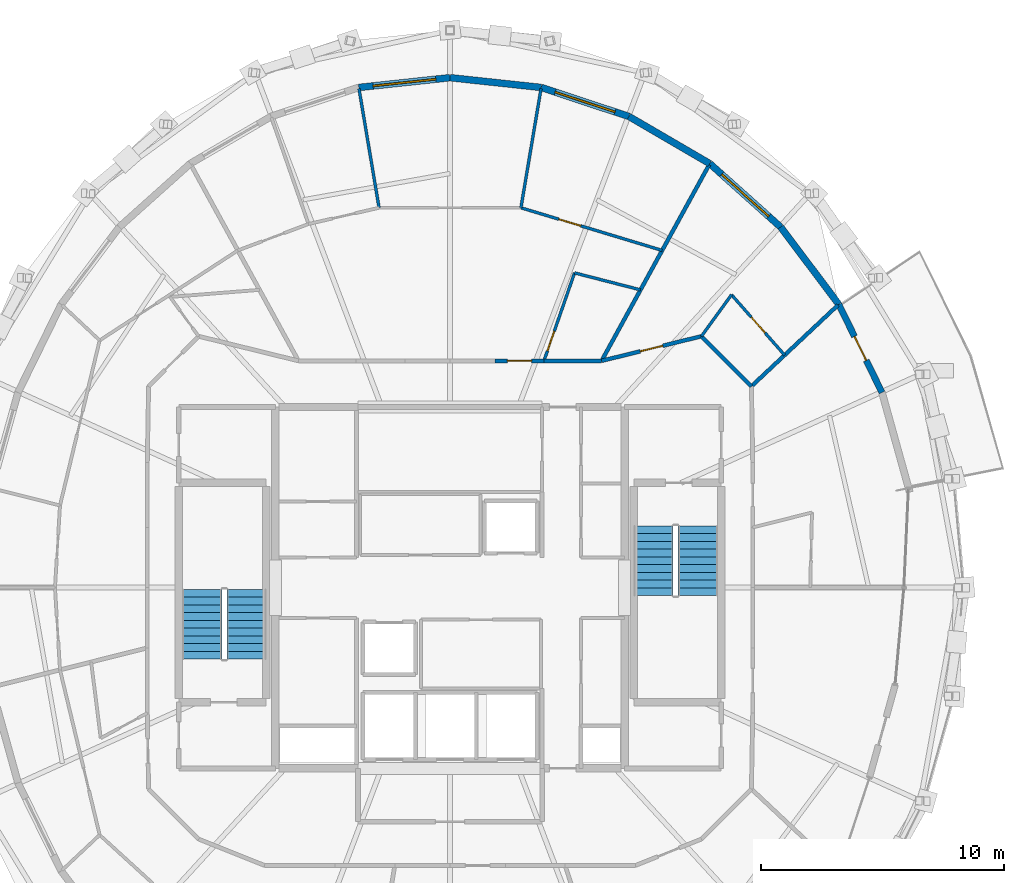
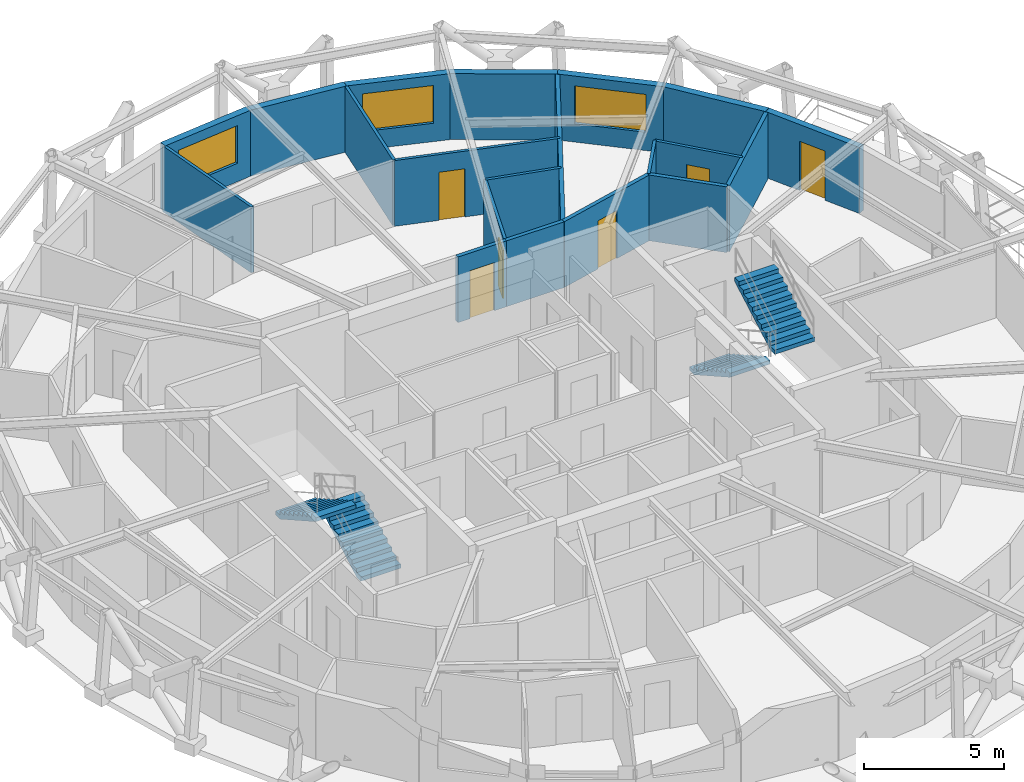
# One storey, part 11 of 12: 20 walls, 6 doors, 4 stair flights, 3 windows, 9 openings, 2 elements without a shape of their own.
"""IFC4 building model written with IfcOpenShell, lengths in metres."""

from ifc_helpers import new_model, si_unit, direction, frame, frame_2d, origin, place, context, subcontext, project, spatial, polyline, rectangle, outline, extrude, material, layer, layer_set, type_object, element, fill, aggregate, save


model = new_model("IFC4")

# Units and contexts
model_context = context("Model", 3, precision=1e-05, world=origin(), true_north=direction((0.0, 1.0)))
body_context = subcontext(model_context, "Body", "Model", "MODEL_VIEW")
ifc_project = project(units=[si_unit("LENGTHUNIT", "METRE"), si_unit("AREAUNIT", "SQUARE_METRE"), si_unit("VOLUMEUNIT", "CUBIC_METRE"), si_unit("PLANEANGLEUNIT", "RADIAN"), si_unit("MASSUNIT", "GRAM", prefix="KILO")], contexts=[model_context])

# Site, building, storey
site_placement = place(None, origin())
site = spatial("IfcSite", under=ifc_project, at=site_placement, CompositionType="ELEMENT")
building_placement = place(site_placement, origin())
building = spatial("IfcBuilding", under=site, at=building_placement, Name="Veldorina Hangang Commons", CompositionType="ELEMENT")
storey_placement = place(building_placement, frame((0.0, 0.0, 272.39990234375)))
storey = spatial("IfcBuildingStorey", under=building, at=storey_placement, Name="L71", CompositionType="ELEMENT", Elevation=272.39990234375)

# Wall, opening, door
ifc_material_1 = material(Name="Stone Roman Travertine", Category="masonry")
ifc_layer_1 = layer(ifc_material_1, 0.260009765625)
ifc_layer_set_1 = layer_set([ifc_layer_1], Name="Stone Roman Travertine")
wall_type_1 = type_object("IfcWallType", Name="EW-LOGGIA-260", PredefinedType="STANDARD", material=ifc_layer_set_1)
wall_1_placement = place(storey_placement, frame((49.80908203125, 32.0458984375, 0.0), z_axis=(0.0, 0.0, 1.0), x_axis=(-0.440082846758, 0.897957174919, 0.0)))
wall_1 = element("IfcWall", 1, at=wall_1_placement, inside=storey, type_object=wall_type_1, Name="L71 sky-garden loggia portal wall 02", PredefinedType="STANDARD", context=body_context, shape_type="SweptSolid", body=[
    extrude(rectangle(XDim=4.048095703125, YDim=0.260009765625, at=frame_2d((2.02392578125, 0.0))), origin(), (0.0, 0.0, 1.0), 2.880126953125),
])
opening_1_placement = place(wall_1_placement, frame((1.47412109375, 0.0, 0.0)))
opening_1 = element("IfcOpeningElement", 2, at=opening_1_placement, cuts=wall_1, Name="Opening BD-1100", PredefinedType="OPENING", context=body_context, shape_type="SweptSolid", body=[
    extrude(rectangle(XDim=1.10009765625, YDim=2.14990234375, at=frame_2d((0.550048828125, 1.074951171875))), frame((0.0, 0.14013671875, 0.0), z_axis=(0.0, -1.0, 0.0), x_axis=(1.0, 0.0, 0.0)), (0.0, 0.0, 1.0), 0.280029296875),
])
ifc_material_2 = material(Name="Glass Thermal Aluminium Frame", Category="aluminium")
door_type_1 = type_object("IfcDoorType", Name="DR-EXT-BAL1100", OperationType="SINGLE_SWING_RIGHT", PredefinedType="DOOR", material=ifc_material_2)
door_1_placement = place(opening_1_placement, origin())
door_1 = element("IfcDoor", 3, at=door_1_placement, inside=storey, type_object=door_type_1, Name="L71 tree balcony glazed exterior door 02", OperationType="SINGLE_SWING_LEFT", OverallHeight=2.14990234375, OverallWidth=1.10009765625, PredefinedType="DOOR", context=body_context, shape_type="SweptSolid", body=[
    extrude(rectangle(XDim=1.10009765625, YDim=2.14990234375, at=frame_2d((0.550048828125, 1.074951171875))), frame((0.0, 0.02490234375, 0.0), z_axis=(0.0, -1.0, 0.0), x_axis=(1.0, 0.0, 0.0)), (0.0, 0.0, 1.0), 0.050048828125),
])
fill(opening_1, door_1)

# Wall
ifc_layer_2 = layer(ifc_material_1, 0.280029296875)
ifc_layer_set_2 = layer_set([ifc_layer_2], Name="Stone Roman Travertine")
wall_type_2 = type_object("IfcWallType", Name="EW-TRAV-280", PredefinedType="STANDARD", material=ifc_layer_set_2)
wall_2_placement = place(storey_placement, frame((48.027587890625, 35.680908203125, 0.0), z_axis=(0.0, 0.0, 1.0), x_axis=(-0.601263134617, 0.799051089074, 0.0)))
element("IfcWall", 4, at=wall_2_placement, inside=storey, type_object=wall_type_2, Name="L71 travertine facade wall 03", PredefinedType="STANDARD", context=body_context, shape_type="SweptSolid", body=[
    extrude(rectangle(XDim=3.987060546875, YDim=0.280029296875, at=frame_2d((1.99365234375, 0.0))), origin(), (0.0, 0.0, 1.0), 2.880126953125),
])

# Wall, opening, window
wall_3_placement = place(storey_placement, frame((45.63037109375, 38.86669921875, 0.0), z_axis=(0.0, 0.0, 1.0), x_axis=(-0.745102858602, 0.666949570884, 0.0)))
wall_3 = element("IfcWall", 5, at=wall_3_placement, inside=storey, type_object=wall_type_2, Name="L71 travertine facade wall 04", PredefinedType="STANDARD", context=body_context, shape_type="SweptSolid", body=[
    extrude(rectangle(XDim=3.92041015625, YDim=0.280029296875, at=frame_2d((1.960205078125, 0.0))), origin(), (0.0, 0.0, 1.0), 2.880126953125),
])
opening_2_placement = place(wall_3_placement, frame((0.66015625, 0.0, 0.800048828125)))
opening_2 = element("IfcOpeningElement", 6, at=opening_2_placement, cuts=wall_3, Name="Opening W-02", PredefinedType="OPENING", context=body_context, shape_type="SweptSolid", body=[
    extrude(rectangle(XDim=2.60009765625, YDim=1.64990234375, at=frame_2d((1.300048828125, 0.824951171875))), frame((0.0, 0.14990234375, 0.0), z_axis=(0.0, -1.0, 0.0), x_axis=(1.0, 0.0, 0.0)), (0.0, 0.0, 1.0), 0.300048828125),
])
ifc_material_3 = material(Name="Glass Low-E Triple IGU", Category="glass")
window_type = type_object("IfcWindowType", Name="WIN-TWR-2600", PartitioningType="SINGLE_PANEL", PredefinedType="WINDOW", material=ifc_material_3)
window_1_placement = place(opening_2_placement, origin())
window_1 = element("IfcWindow", 7, at=window_1_placement, inside=storey, type_object=window_type, Name="L71 facade window 04", OverallHeight=1.64990234375, OverallWidth=2.60009765625, PartitioningType="SINGLE_PANEL", PredefinedType="WINDOW", context=body_context, shape_type="SweptSolid", body=[
    extrude(rectangle(XDim=2.60009765625, YDim=1.64990234375, at=frame_2d((1.300048828125, 0.824951171875))), frame((0.0, 0.030029296875, 0.0), z_axis=(0.0, -1.0, 0.0), x_axis=(1.0, 0.0, 0.0)), (0.0, 0.0, 1.0), 0.06005859375),
])
fill(opening_2, window_1)

# Wall
wall_4_placement = place(storey_placement, frame((42.709228515625, 41.4814453125, 0.0), z_axis=(0.0, 0.0, 1.0), x_axis=(-0.863902830528, 0.503658514677, 0.0)))
element("IfcWall", 8, at=wall_4_placement, inside=storey, type_object=wall_type_2, Name="L71 travertine facade wall 05", PredefinedType="STANDARD", context=body_context, shape_type="SweptSolid", body=[
    extrude(rectangle(XDim=3.857421875, YDim=0.280029296875, at=frame_2d((1.9287109375, 0.0))), origin(), (0.0, 0.0, 1.0), 2.880126953125),
])

# Wall, opening, window
wall_5_placement = place(storey_placement, frame((39.376708984375, 43.42431640625, 0.0), z_axis=(0.0, 0.0, 1.0), x_axis=(-0.949379621602, 0.314131077874, 0.0)))
wall_5 = element("IfcWall", 9, at=wall_5_placement, inside=storey, type_object=wall_type_2, Name="L71 travertine facade wall 06", PredefinedType="STANDARD", context=body_context, shape_type="SweptSolid", body=[
    extrude(rectangle(XDim=3.80908203125, YDim=0.280029296875, at=frame_2d((1.904541015625, 0.0))), origin(), (0.0, 0.0, 1.0), 2.880126953125),
])
opening_3_placement = place(wall_5_placement, frame((0.6044921875, 0.0, 0.800048828125)))
opening_3 = element("IfcOpeningElement", 10, at=opening_3_placement, cuts=wall_5, Name="Opening W-02", PredefinedType="OPENING", context=body_context, shape_type="SweptSolid", body=[
    extrude(rectangle(XDim=2.60009765625, YDim=1.64990234375, at=frame_2d((1.300048828125, 0.824951171875))), frame((0.0, 0.14990234375, 0.0), z_axis=(0.0, -1.0, 0.0), x_axis=(1.0, 0.0, 0.0)), (0.0, 0.0, 1.0), 0.300048828125),
])
window_2_placement = place(opening_3_placement, origin())
window_2 = element("IfcWindow", 11, at=window_2_placement, inside=storey, type_object=window_type, Name="L71 facade window 06", OverallHeight=1.64990234375, OverallWidth=2.60009765625, PartitioningType="SINGLE_PANEL", PredefinedType="WINDOW", context=body_context, shape_type="SweptSolid", body=[
    extrude(rectangle(XDim=2.60009765625, YDim=1.64990234375, at=frame_2d((1.300048828125, 0.824951171875))), frame((0.0, 0.030029296875, 0.0), z_axis=(0.0, -1.0, 0.0), x_axis=(1.0, 0.0, 0.0)), (0.0, 0.0, 1.0), 0.06005859375),
])
fill(opening_3, window_2)

# Wall
wall_6_placement = place(storey_placement, frame((35.760498046875, 44.620849609375, 0.0), z_axis=(0.0, 0.0, 1.0), x_axis=(-0.994277118556, 0.106831697151, 0.0)))
element("IfcWall", 12, at=wall_6_placement, inside=storey, type_object=wall_type_2, Name="L71 travertine facade wall 07", PredefinedType="STANDARD", context=body_context, shape_type="SweptSolid", body=[
    extrude(rectangle(XDim=3.7822265625, YDim=0.280029296875, at=frame_2d((1.89111328125, 0.0))), origin(), (0.0, 0.0, 1.0), 2.880126953125),
])

# Wall, opening, window
wall_7_placement = place(storey_placement, frame((32.0, 45.02490234375, 0.0), z_axis=(0.0, 0.0, 1.0), x_axis=(-0.994277118556, -0.106831697151, 0.0)))
wall_7 = element("IfcWall", 13, at=wall_7_placement, inside=storey, type_object=wall_type_2, Name="L71 travertine facade wall 08", PredefinedType="STANDARD", context=body_context, shape_type="SweptSolid", body=[
    extrude(rectangle(XDim=3.7822265625, YDim=0.280029296875, at=frame_2d((1.89111328125, 0.0))), origin(), (0.0, 0.0, 1.0), 2.880126953125),
])
opening_4_placement = place(wall_7_placement, frame((0.591064453125, 0.0, 0.800048828125)))
opening_4 = element("IfcOpeningElement", 14, at=opening_4_placement, cuts=wall_7, Name="Opening W-02", PredefinedType="OPENING", context=body_context, shape_type="SweptSolid", body=[
    extrude(rectangle(XDim=2.60009765625, YDim=1.64990234375, at=frame_2d((1.300048828125, 0.824951171875))), frame((0.0, 0.14990234375, 0.0), z_axis=(0.0, -1.0, 0.0), x_axis=(1.0, 0.0, 0.0)), (0.0, 0.0, 1.0), 0.300048828125),
])
window_3_placement = place(opening_4_placement, origin())
window_3 = element("IfcWindow", 15, at=window_3_placement, inside=storey, type_object=window_type, Name="L71 facade window 08", OverallHeight=1.64990234375, OverallWidth=2.60009765625, PartitioningType="SINGLE_PANEL", PredefinedType="WINDOW", context=body_context, shape_type="SweptSolid", body=[
    extrude(rectangle(XDim=2.60009765625, YDim=1.64990234375, at=frame_2d((1.300048828125, 0.824951171875))), frame((0.0, 0.030029296875, 0.0), z_axis=(0.0, -1.0, 0.0), x_axis=(1.0, 0.0, 0.0)), (0.0, 0.0, 1.0), 0.06005859375),
])
fill(opening_4, window_3)

# Wall
ifc_material_4 = material(Name="Gypsum Fire-Rated Twin Stud Wall", Category="gypsum")
ifc_layer_3 = layer(ifc_material_4, 0.159912109375)
ifc_layer_set_3 = layer_set([ifc_layer_3], Name="Gypsum Fire-Rated Twin Stud Wall")
wall_type_3 = type_object("IfcWallType", Name="WL-FIRE-160", PredefinedType="SOLIDWALL", material=ifc_layer_set_3)
wall_8_placement = place(storey_placement, frame((44.4267578125, 32.30322265625, 0.0), z_axis=(0.0, 0.0, 1.0), x_axis=(-0.707106781187, 0.707106781187, 0.0)))
element("IfcWall", 16, at=wall_8_placement, inside=storey, type_object=wall_type_3, Name="L71 Compact collar outer wall 03 055", PredefinedType="SOLIDWALL", context=body_context, shape_type="SweptSolid", body=[
    extrude(rectangle(XDim=2.915771484375, YDim=0.159912109375, at=frame_2d((1.4580078125, 0.0))), origin(), (0.0, 0.0, 1.0), 2.8701171875),
])

# Wall, opening, door
wall_9_placement = place(storey_placement, frame((42.364990234375, 34.364990234375, 0.0), z_axis=(0.0, 0.0, 1.0), x_axis=(-0.970939799552, -0.239323850978, 0.0)))
wall_9 = element("IfcWall", 17, at=wall_9_placement, inside=storey, type_object=wall_type_3, Name="L71 Compact collar outer wall 04 056", PredefinedType="SOLIDWALL", context=body_context, shape_type="SweptSolid", body=[
    extrude(rectangle(XDim=4.24072265625, YDim=0.159912109375, at=frame_2d((2.120361328125, 0.0))), origin(), (0.0, 0.0, 1.0), 2.8701171875),
])
opening_5_placement = place(wall_9_placement, frame((1.6455078125, 0.0, 0.0)))
opening_5 = element("IfcOpeningElement", 18, at=opening_5_placement, cuts=wall_9, Name="Opening D-03", PredefinedType="OPENING", context=body_context, shape_type="SweptSolid", body=[
    extrude(rectangle(XDim=0.949951171875, YDim=2.10009765625, at=frame_2d((0.47509765625, 1.050048828125))), frame((0.0, 0.08984375, 0.0), z_axis=(0.0, -1.0, 0.0), x_axis=(1.0, 0.0, 0.0)), (0.0, 0.0, 1.0), 0.179931640625),
])
ifc_material_5 = material(Name="Timber Fire-Rated Entrance Core", Category="wood")
door_type_2 = type_object("IfcDoorType", Name="DR-UNIT-950", OperationType="SINGLE_SWING_RIGHT", PredefinedType="DOOR", material=ifc_material_5)
door_2_placement = place(opening_5_placement, origin())
door_2 = element("IfcDoor", 19, at=door_2_placement, inside=storey, type_object=door_type_2, Name="L71 Studio 3 entrance door 024", OperationType="SINGLE_SWING_RIGHT", OverallHeight=2.10009765625, OverallWidth=0.949951171875, PredefinedType="DOOR", context=body_context, shape_type="SweptSolid", body=[
    extrude(rectangle(XDim=0.949951171875, YDim=2.10009765625, at=frame_2d((0.47509765625, 1.050048828125))), frame((0.0, 0.02490234375, 0.0), z_axis=(0.0, -1.0, 0.0), x_axis=(1.0, 0.0, 0.0)), (0.0, 0.0, 1.0), 0.050048828125),
])
fill(opening_5, door_2)

# Wall
wall_10_placement = place(storey_placement, frame((38.24755859375, 33.35009765625, 0.0), z_axis=(0.0, 0.0, 1.0), x_axis=(-1.0, 0.0, 0.0)))
element("IfcWall", 20, at=wall_10_placement, inside=storey, type_object=wall_type_3, Name="L71 Compact collar outer wall 05 057", PredefinedType="SOLIDWALL", context=body_context, shape_type="SweptSolid", body=[
    extrude(rectangle(XDim=2.374755859375, YDim=0.159912109375, at=frame_2d((1.1875, 0.0))), origin(), (0.0, 0.0, 1.0), 2.8701171875),
])

# Wall, opening, door
wall_11_placement = place(storey_placement, frame((35.872802734375, 33.35009765625, 0.0), z_axis=(0.0, 0.0, 1.0), x_axis=(-1.0, 0.0, 0.0)))
wall_11 = element("IfcWall", 21, at=wall_11_placement, inside=storey, type_object=wall_type_3, Name="L71 Compact collar outer wall 06 058", PredefinedType="SOLIDWALL", context=body_context, shape_type="SweptSolid", body=[
    extrude(rectangle(XDim=2.012939453125, YDim=0.159912109375, at=frame_2d((1.00634765625, 0.0))), origin(), (0.0, 0.0, 1.0), 2.8701171875),
])
opening_6_placement = place(wall_11_placement, frame((0.506591796875, 0.0, 0.0)))
opening_6 = element("IfcOpeningElement", 22, at=opening_6_placement, cuts=wall_11, Name="Opening D-06", PredefinedType="OPENING", context=body_context, shape_type="SweptSolid", body=[
    extrude(rectangle(XDim=1.0, YDim=2.10009765625, at=frame_2d((0.5, 1.050048828125))), frame((0.0, 0.08984375, 0.0), z_axis=(0.0, -1.0, 0.0), x_axis=(1.0, 0.0, 0.0)), (0.0, 0.0, 1.0), 0.179931640625),
])
door_type_3 = type_object("IfcDoorType", Name="DR-UNIT-1000", OperationType="SINGLE_SWING_LEFT", PredefinedType="DOOR", material=ifc_material_5)
door_3_placement = place(opening_6_placement, origin())
door_3 = element("IfcDoor", 23, at=door_3_placement, inside=storey, type_object=door_type_3, Name="L71 Cluster 4 entrance door 026", OperationType="SINGLE_SWING_RIGHT", OverallHeight=2.10009765625, OverallWidth=1.0, PredefinedType="DOOR", context=body_context, shape_type="SweptSolid", body=[
    extrude(rectangle(XDim=1.0, YDim=2.10009765625, at=frame_2d((0.5, 1.050048828125))), frame((0.0, 0.02490234375, 0.0), z_axis=(0.0, -1.0, 0.0), x_axis=(1.0, 0.0, 0.0)), (0.0, 0.0, 1.0), 0.050048828125),
])
fill(opening_6, door_3)

# Walls
wall_12_placement = place(storey_placement, frame((44.4267578125, 32.30322265625, 0.0), z_axis=(0.0, 0.0, 1.0), x_axis=(0.729375160309, 0.684113934608, 0.0)))
element("IfcWall", 24, at=wall_12_placement, inside=storey, type_object=wall_type_3, Name="L71 Unit party wall 03 088", PredefinedType="SOLIDWALL", context=body_context, shape_type="SweptSolid", body=[
    extrude(rectangle(XDim=4.886962890625, YDim=0.159912109375, at=frame_2d((2.443359375, 0.0))), origin(), (0.0, 0.0, 1.0), 2.8701171875),
])
wall_13_placement = place(storey_placement, frame((38.24755859375, 33.35009765625, 0.0), z_axis=(0.0, 0.0, 1.0), x_axis=(0.481047870731, 0.876694328751, 0.0)))
element("IfcWall", 25, at=wall_13_placement, inside=storey, type_object=wall_type_3, Name="L71 Unit party wall 05 091", PredefinedType="SOLIDWALL", context=body_context, shape_type="SweptSolid", body=[
    extrude(rectangle(XDim=9.22509765625, YDim=0.159912109375, at=frame_2d((4.612548828125, 0.0))), origin(), (0.0, 0.0, 1.0), 2.8701171875),
])

# Wall, opening, door
ifc_material_6 = material(Name="Gypsum Acoustic Stud Partition", Category="gypsum")
ifc_layer_4 = layer(ifc_material_6, 0.1201171875)
ifc_layer_set_4 = layer_set([ifc_layer_4], Name="Gypsum Acoustic Stud Partition")
wall_type_4 = type_object("IfcWallType", Name="WL-PART-120", PredefinedType="PARTITIONING", material=ifc_layer_set_4)
wall_14_placement = place(storey_placement, frame((45.795166015625, 33.5869140625, 0.0), z_axis=(0.0, 0.0, 1.0), x_axis=(-0.660473462315, 0.75084938941, 0.0)))
wall_14 = element("IfcWall", 26, at=wall_14_placement, inside=storey, type_object=wall_type_4, Name="L71 Studio 3 bath front wall 089", PredefinedType="PARTITIONING", context=body_context, shape_type="SweptSolid", body=[
    extrude(rectangle(XDim=3.314697265625, YDim=0.1201171875, at=frame_2d((1.6572265625, 0.0))), origin(), (0.0, 0.0, 1.0), 2.8701171875),
])
opening_7_placement = place(wall_14_placement, frame((1.227294921875, 0.0, 0.0)))
opening_7 = element("IfcOpeningElement", 27, at=opening_7_placement, cuts=wall_14, Name="Opening D-01", PredefinedType="OPENING", context=body_context, shape_type="SweptSolid", body=[
    extrude(rectangle(XDim=0.860107421875, YDim=2.10009765625, at=frame_2d((0.43017578125, 1.050048828125))), frame((0.0, 0.070068359375, 0.0), z_axis=(0.0, -1.0, 0.0), x_axis=(1.0, 0.0, 0.0)), (0.0, 0.0, 1.0), 0.14013671875),
])
ifc_material_7 = material(Name="Timber Moisture-Resistant Core", Category="wood")
door_type_4 = type_object("IfcDoorType", Name="DR-WET-860", OperationType="SINGLE_SWING_LEFT", PredefinedType="DOOR", material=ifc_material_7)
door_4_placement = place(opening_7_placement, origin())
door_4 = element("IfcDoor", 28, at=door_4_placement, inside=storey, type_object=door_type_4, Name="L71 Studio 3 bathroom door 023", OperationType="SINGLE_SWING_LEFT", OverallHeight=2.10009765625, OverallWidth=0.860107421875, PredefinedType="DOOR", context=body_context, shape_type="SweptSolid", body=[
    extrude(rectangle(XDim=0.860107421875, YDim=2.10009765625, at=frame_2d((0.43017578125, 1.050048828125))), frame((0.0, 0.02490234375, 0.0), z_axis=(0.0, -1.0, 0.0), x_axis=(1.0, 0.0, 0.0)), (0.0, 0.0, 1.0), 0.050048828125),
])
fill(opening_7, door_4)

# Walls
wall_15_placement = place(storey_placement, frame((42.364990234375, 34.364990234375, 0.0), z_axis=(0.0, 0.0, 1.0), x_axis=(0.587189030202, 0.809449839589, 0.0)))
element("IfcWall", 29, at=wall_15_placement, inside=storey, type_object=wall_type_4, Name="L71 Studio 3 bath side wall 090", PredefinedType="PARTITIONING", context=body_context, shape_type="SweptSolid", body=[
    extrude(rectangle(XDim=2.11328125, YDim=0.1201171875, at=frame_2d((1.056640625, 0.0))), origin(), (0.0, 0.0, 1.0), 2.8701171875),
])
wall_16_placement = place(storey_placement, frame((39.853759765625, 36.27734375, 0.0), z_axis=(0.0, 0.0, 1.0), x_axis=(-0.968478551132, 0.249096961037, 0.0)))
element("IfcWall", 30, at=wall_16_placement, inside=storey, type_object=wall_type_4, Name="L71 Cluster 4 bath front wall 092", PredefinedType="PARTITIONING", context=body_context, shape_type="SweptSolid", body=[
    extrude(rectangle(XDim=2.80810546875, YDim=0.1201171875, at=frame_2d((1.404052734375, 0.0))), origin(), (0.0, 0.0, 1.0), 2.8701171875),
])

# Wall, opening, door
wall_17_placement = place(storey_placement, frame((35.872802734375, 33.35009765625, 0.0), z_axis=(0.0, 0.0, 1.0), x_axis=(0.328523090983, 0.944495938949, 0.0)))
wall_17 = element("IfcWall", 31, at=wall_17_placement, inside=storey, type_object=wall_type_4, Name="L71 Cluster 4 bath side wall 093", PredefinedType="PARTITIONING", context=body_context, shape_type="SweptSolid", body=[
    extrude(rectangle(XDim=3.83984375, YDim=0.1201171875, at=frame_2d((1.919921875, 0.0))), origin(), (0.0, 0.0, 1.0), 2.8701171875),
])
opening_8_placement = place(wall_17_placement, frame((0.43994140625, 0.0, 0.0)))
opening_8 = element("IfcOpeningElement", 32, at=opening_8_placement, cuts=wall_17, Name="Opening D-01", PredefinedType="OPENING", context=body_context, shape_type="SweptSolid", body=[
    extrude(rectangle(XDim=0.860107421875, YDim=2.10009765625, at=frame_2d((0.43017578125, 1.050048828125))), frame((0.0, 0.070068359375, 0.0), z_axis=(0.0, -1.0, 0.0), x_axis=(1.0, 0.0, 0.0)), (0.0, 0.0, 1.0), 0.14013671875),
])
door_5_placement = place(opening_8_placement, origin())
door_5 = element("IfcDoor", 33, at=door_5_placement, inside=storey, type_object=door_type_4, Name="L71 Cluster 4 shared bathroom door 025", OperationType="SINGLE_SWING_LEFT", OverallHeight=2.10009765625, OverallWidth=0.860107421875, PredefinedType="DOOR", context=body_context, shape_type="SweptSolid", body=[
    extrude(rectangle(XDim=0.860107421875, YDim=2.10009765625, at=frame_2d((0.43017578125, 1.050048828125))), frame((0.0, 0.02490234375, 0.0), z_axis=(0.0, -1.0, 0.0), x_axis=(1.0, 0.0, 0.0)), (0.0, 0.0, 1.0), 0.050048828125),
])
fill(opening_8, door_5)

wall_18_placement = place(storey_placement, frame((40.74609375, 37.903564453125, 0.0), z_axis=(0.0, 0.0, 1.0), x_axis=(-0.95730318797, 0.289085811313, 0.0)))
wall_18 = element("IfcWall", 34, at=wall_18_placement, inside=storey, type_object=wall_type_4, Name="L71 Cluster 4 bed 1 front wall 094", PredefinedType="PARTITIONING", context=body_context, shape_type="SweptSolid", body=[
    extrude(rectangle(XDim=6.08154296875, YDim=0.1201171875, at=frame_2d((3.040771484375, 0.0))), origin(), (0.0, 0.0, 1.0), 2.8701171875),
])
opening_9_placement = place(wall_18_placement, frame((3.501220703125, 0.0, 0.0)))
opening_9 = element("IfcOpeningElement", 35, at=opening_9_placement, cuts=wall_18, Name="Opening D-02", PredefinedType="OPENING", context=body_context, shape_type="SweptSolid", body=[
    extrude(rectangle(XDim=0.949951171875, YDim=2.10009765625, at=frame_2d((0.47509765625, 1.050048828125))), frame((0.0, 0.070068359375, 0.0), z_axis=(0.0, -1.0, 0.0), x_axis=(1.0, 0.0, 0.0)), (0.0, 0.0, 1.0), 0.14013671875),
])
ifc_material_8 = material(Name="Timber Solid Core Acoustic", Category="wood")
door_type_5 = type_object("IfcDoorType", Name="DR-INT-950", OperationType="SINGLE_SWING_LEFT", PredefinedType="DOOR", material=ifc_material_8)
door_6_placement = place(opening_9_placement, origin())
door_6 = element("IfcDoor", 36, at=door_6_placement, inside=storey, type_object=door_type_5, Name="L71 Cluster 4 bed 1 door 027", OperationType="SINGLE_SWING_LEFT", OverallHeight=2.10009765625, OverallWidth=0.949951171875, PredefinedType="DOOR", context=body_context, shape_type="SweptSolid", body=[
    extrude(rectangle(XDim=0.949951171875, YDim=2.10009765625, at=frame_2d((0.47509765625, 1.050048828125))), frame((0.0, 0.02490234375, 0.0), z_axis=(0.0, -1.0, 0.0), x_axis=(1.0, 0.0, 0.0)), (0.0, 0.0, 1.0), 0.050048828125),
])
fill(opening_9, door_6)

# Walls
for number, where, z_axis, x_axis, name in (
    (37, (34.92431640625, 39.66162109375, 0.0), (0.0, 0.0, 1.0), (0.166267205661, 0.986080735195, 0.0), "L71 Cluster 4 bed divider 1 096"),
    (38, (29.07568359375, 39.66162109375, 0.0), (0.0, 0.0, 1.0), (-0.166267205661, 0.986080735195, 0.0), "L71 Cluster 4 bed divider 2 098"),
):
    element("IfcWall", number, at=place(storey_placement, frame(where, z_axis=z_axis, x_axis=x_axis)), inside=storey, type_object=wall_type_4, Name=name, PredefinedType="PARTITIONING", context=body_context, shape_type="SweptSolid", body=[
        extrude(rectangle(XDim=4.979248046875, YDim=0.1201171875, at=frame_2d((2.48974609375, 0.0))), origin(), (0.0, 0.0, 1.0), 2.8701171875),
    ])

# Stair, stair flights
ifc_material_9 = material(Name="Concrete C40/50", Category="concrete")
stair_type = type_object("IfcStairType", Name="STR-DOG-1650-20R", PredefinedType="HALF_TURN_STAIR", material=ifc_material_9)
stair_1_placement = place(storey_placement, origin())
stair_1 = element("IfcStair", 39, at=stair_1_placement, inside=storey, type_object=stair_type, Name="L71 Exit stair ST-1", PredefinedType="HALF_TURN_STAIR")
stair_flight_type = type_object("IfcStairFlightType", Name="SFL-STR-1650-20R", PredefinedType="STRAIGHT", material=ifc_material_9)
stair_flight_1_placement = place(storey_placement, frame((23.625, 21.050048828125, 0.0), z_axis=(0.0, 0.0, 1.0), x_axis=(0.0, 1.0, 0.0)))
stair_flight_1 = element("IfcStairFlight", 40, at=stair_flight_1_placement, type_object=stair_flight_type, Name="ST-1 flight 1", NumberOfRisers=10, NumberOfTreads=9, PredefinedType="STRAIGHT", RiserHeight=0.18, TreadLength=0.32, context=body_context, shape_type="SweptSolid", body=[
    extrude(outline(polyline([(0.0, 0.0), (0.0, 0.179931640625), (0.320068359375, 0.179931640625), (0.320068359375, 0.360107421875), (0.639892578125, 0.360107421875), (0.639892578125, 0.5400390625), (0.9599609375, 0.5400390625), (0.9599609375, 0.719970703125), (1.280029296875, 0.719970703125), (1.280029296875, 0.89990234375), (1.60009765625, 0.89990234375), (1.60009765625, 1.080078125), (1.919921875, 1.080078125), (1.919921875, 1.260009765625), (2.239990234375, 1.260009765625), (2.239990234375, 1.43994140625), (2.56005859375, 1.43994140625), (2.56005859375, 1.6201171875), (2.8798828125, 1.6201171875), (2.8798828125, 1.800048828125), (2.8798828125, 1.447998046875), (0.3056640625, 0.0), (0.0, 0.0)])), frame((0.0, 0.824951171875, 0.0), z_axis=(0.0, -1.0, 0.0), x_axis=(1.0, 0.0, 0.0)), (0.0, 0.0, 1.0), 1.64990234375),
])
stair_flight_2_placement = place(storey_placement, frame((21.77490234375, 23.929931640625, 1.800048828125), z_axis=(0.0, 0.0, 1.0), x_axis=(0.0, -1.0, 0.0)))
stair_flight_2 = element("IfcStairFlight", 41, at=stair_flight_2_placement, type_object=stair_flight_type, Name="ST-1 flight 2", NumberOfRisers=10, NumberOfTreads=9, PredefinedType="STRAIGHT", RiserHeight=0.18, TreadLength=0.32, context=body_context, shape_type="SweptSolid", body=[
    extrude(outline(polyline([(0.0, 0.0), (0.0, 0.179931640625), (0.320068359375, 0.179931640625), (0.320068359375, 0.360107421875), (0.639892578125, 0.360107421875), (0.639892578125, 0.5400390625), (0.9599609375, 0.5400390625), (0.9599609375, 0.719970703125), (1.280029296875, 0.719970703125), (1.280029296875, 0.89990234375), (1.60009765625, 0.89990234375), (1.60009765625, 1.080078125), (1.919921875, 1.080078125), (1.919921875, 1.260009765625), (2.239990234375, 1.260009765625), (2.239990234375, 1.43994140625), (2.56005859375, 1.43994140625), (2.56005859375, 1.6201171875), (2.8798828125, 1.6201171875), (2.8798828125, 1.800048828125), (2.8798828125, 1.447998046875), (0.3056640625, 0.0), (0.0, 0.0)])), frame((0.0, 0.824951171875, 0.0), z_axis=(0.0, -1.0, 0.0), x_axis=(1.0, 0.0, 0.0)), (0.0, 0.0, 1.0), 1.64990234375),
])
aggregate(stair_1, [stair_flight_1, stair_flight_2])

stair_2_placement = place(storey_placement, origin())
stair_2 = element("IfcStair", 42, at=stair_2_placement, inside=storey, type_object=stair_type, Name="L71 Exit stair ST-2", PredefinedType="HALF_TURN_STAIR")
stair_flight_3_placement = place(storey_placement, frame((40.375, 26.550048828125, 0.0), z_axis=(0.0, 0.0, 1.0), x_axis=(0.0, -1.0, 0.0)))
stair_flight_3 = element("IfcStairFlight", 43, at=stair_flight_3_placement, type_object=stair_flight_type, Name="ST-2 flight 1", NumberOfRisers=10, NumberOfTreads=9, PredefinedType="STRAIGHT", RiserHeight=0.18, TreadLength=0.32, context=body_context, shape_type="SweptSolid", body=[
    extrude(outline(polyline([(0.0, 0.0), (0.0, 0.179931640625), (0.320068359375, 0.179931640625), (0.320068359375, 0.360107421875), (0.639892578125, 0.360107421875), (0.639892578125, 0.5400390625), (0.9599609375, 0.5400390625), (0.9599609375, 0.719970703125), (1.280029296875, 0.719970703125), (1.280029296875, 0.89990234375), (1.60009765625, 0.89990234375), (1.60009765625, 1.080078125), (1.919921875, 1.080078125), (1.919921875, 1.260009765625), (2.239990234375, 1.260009765625), (2.239990234375, 1.43994140625), (2.56005859375, 1.43994140625), (2.56005859375, 1.6201171875), (2.8798828125, 1.6201171875), (2.8798828125, 1.800048828125), (2.8798828125, 1.447998046875), (0.3056640625, 0.0), (0.0, 0.0)])), frame((0.0, 0.824951171875, 0.0), z_axis=(0.0, -1.0, 0.0), x_axis=(1.0, 0.0, 0.0)), (0.0, 0.0, 1.0), 1.64990234375),
])
stair_flight_4_placement = place(storey_placement, frame((42.22509765625, 23.669921875, 1.800048828125), z_axis=(0.0, 0.0, 1.0), x_axis=(0.0, 1.0, 0.0)))
stair_flight_4 = element("IfcStairFlight", 44, at=stair_flight_4_placement, type_object=stair_flight_type, Name="ST-2 flight 2", NumberOfRisers=10, NumberOfTreads=9, PredefinedType="STRAIGHT", RiserHeight=0.18, TreadLength=0.32, context=body_context, shape_type="SweptSolid", body=[
    extrude(outline(polyline([(0.0, 0.0), (0.0, 0.179931640625), (0.320068359375, 0.179931640625), (0.320068359375, 0.360107421875), (0.639892578125, 0.360107421875), (0.639892578125, 0.5400390625), (0.9599609375, 0.5400390625), (0.9599609375, 0.719970703125), (1.280029296875, 0.719970703125), (1.280029296875, 0.89990234375), (1.60009765625, 0.89990234375), (1.60009765625, 1.080078125), (1.919921875, 1.080078125), (1.919921875, 1.260009765625), (2.239990234375, 1.260009765625), (2.239990234375, 1.43994140625), (2.56005859375, 1.43994140625), (2.56005859375, 1.6201171875), (2.8798828125, 1.6201171875), (2.8798828125, 1.800048828125), (2.8798828125, 1.447998046875), (0.3056640625, 0.0), (0.0, 0.0)])), frame((0.0, 0.824951171875, 0.0), z_axis=(0.0, -1.0, 0.0), x_axis=(1.0, 0.0, 0.0)), (0.0, 0.0, 1.0), 1.64990234375),
])
aggregate(stair_2, [stair_flight_3, stair_flight_4])

save(model, "model.ifc")
